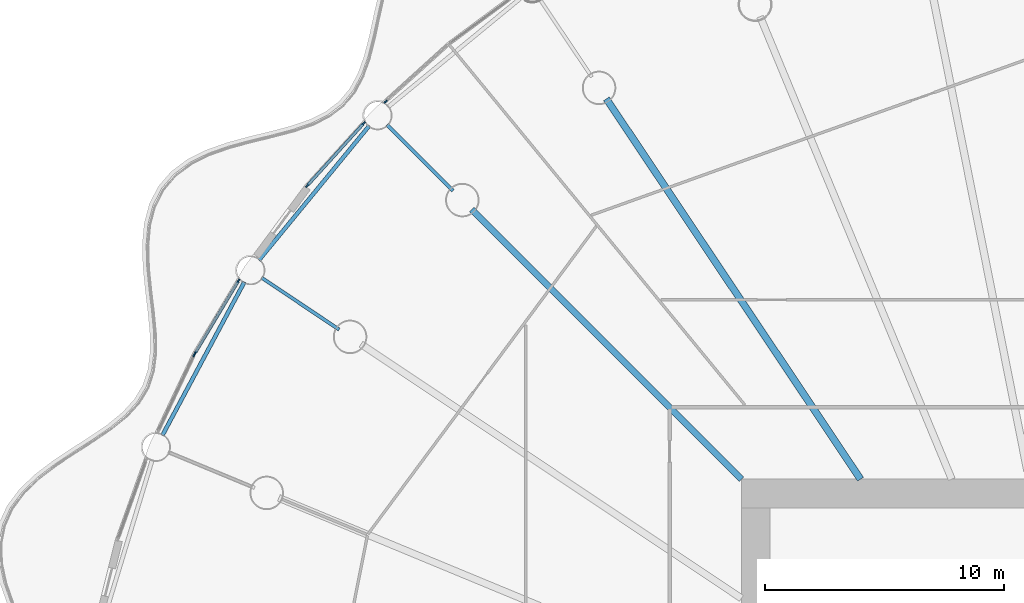
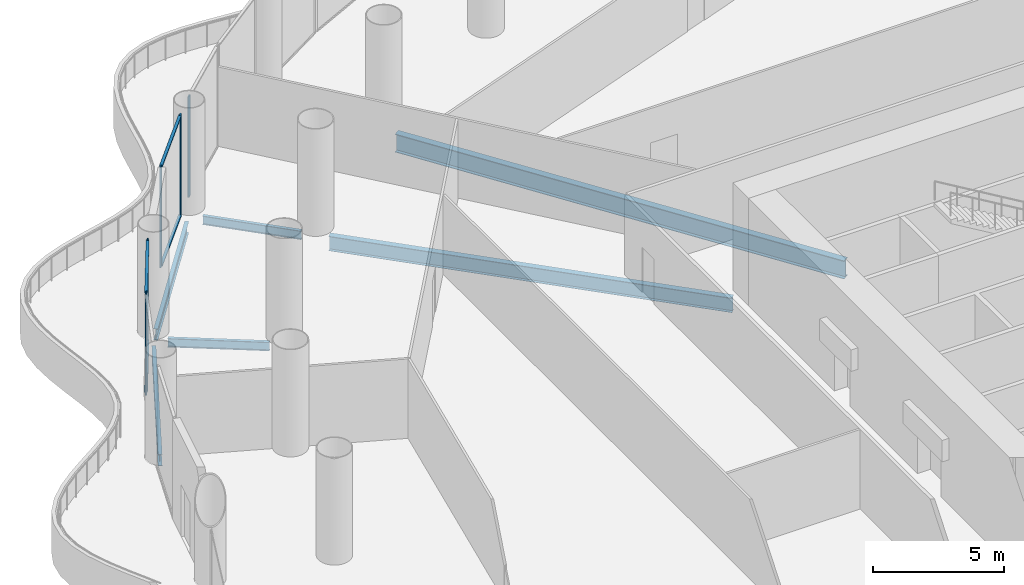
# One storey, part 15 of 36: 10 members, 6 beams, 4 elements without a shape of their own.
"""IFC4 building model written with IfcOpenShell, lengths in metres."""

from ifc_helpers import new_model, si_unit, direction, frame, origin, origin_2d, place, context, subcontext, project, spatial, rectangle, i_section, extrude, material, material_profile, profile_set, type_object, element, aggregate, save


model = new_model("IFC4")

# Units and contexts
model_context = context("Model", 3, precision=1e-05, world=origin(), true_north=direction((0.0, 1.0)))
body_context = subcontext(model_context, "Body", "Model", "MODEL_VIEW")
ifc_project = project(units=[si_unit("LENGTHUNIT", "METRE"), si_unit("AREAUNIT", "SQUARE_METRE"), si_unit("VOLUMEUNIT", "CUBIC_METRE"), si_unit("PLANEANGLEUNIT", "RADIAN"), si_unit("MASSUNIT", "GRAM", prefix="KILO")], contexts=[model_context])

# Site, building, storey
site_placement = place(None, origin())
site = spatial("IfcSite", under=ifc_project, at=site_placement, CompositionType="ELEMENT")
building_placement = place(site_placement, origin())
building = spatial("IfcBuilding", under=site, at=building_placement, Name="Corvane Civic Tower", CompositionType="ELEMENT")
storey_placement = place(building_placement, frame((0.0, 0.0, 17.0)))
storey = spatial("IfcBuildingStorey", under=building, at=storey_placement, Name="L03", CompositionType="ELEMENT", Elevation=17.0)

# Beams
ifc_material_1 = material(Name="Steel ASTM A992 Gr 50", Category="steel")
ifc_material_profile_1 = material_profile(ifc_material_1, i_section(OverallWidth=0.165771484375, OverallDepth=0.5283203125, WebThickness=0.009765625, FlangeThickness=0.013671875, at=origin_2d()), Name="W21X50")
ifc_profile_set_1 = profile_set([ifc_material_profile_1], Name="Steel ASTM A992 Gr 50")
beam_type_1 = type_object("IfcBeamType", Name="EDGE BEAM W21X50", PredefinedType="BEAM", material=ifc_profile_set_1)
for number, where, z_axis, x_axis, name in (
    (1, (-39.1904296875, 16.82568359375, -0.564208984375), (0.471412394598, 0.881912894916, 0.0), (-0.881912894916, 0.471412394598, 0.0), "BM-L03-E27"),
    (2, (-35.15478515625, 24.14794921875, -0.564208984375), (0.634396365205, 0.773007924807, 0.0), (-0.773007924807, 0.634396365205, 0.0), "BM-L03-E28"),
):
    element("IfcBeam", number, at=place(storey_placement, frame(where, z_axis=z_axis, x_axis=x_axis)), inside=storey, type_object=beam_type_1, Name=name, PredefinedType="BEAM", context=body_context, shape_type="SweptSolid", body=[
        extrude(i_section(OverallWidth=0.165771484375, OverallDepth=0.5283203125, WebThickness=0.009765625, FlangeThickness=0.013671875, at=origin_2d()), origin(), (0.0, 0.0, 1.0), 7.270751953125),
    ])
ifc_material_2 = material(Name="Steel ASTM A992 Gr 50", Category="steel")
ifc_material_profile_2 = material_profile(ifc_material_2, i_section(OverallWidth=0.140380859375, OverallDepth=0.40380859375, WebThickness=0.007080078125, FlangeThickness=0.01123046875, at=origin_2d()), Name="W16X31")
ifc_profile_set_2 = profile_set([ifc_material_profile_2], Name="Steel ASTM A992 Gr 50")
beam_type_2 = type_object("IfcBeamType", Name="FLOOR GIRDER W16X31", PredefinedType="BEAM", material=ifc_profile_set_2)
for number, where, z_axis, x_axis, name in (
    (3, (-31.8037109375, 21.25048828125, -0.501953125), (-0.831462344301, 0.555581110199, 0.0), (-0.555581110199, -0.831462344301, 0.0), "BM-L03-G28b"),
    (4, (-27.046875, 27.046875, -0.501953125), (-0.707106781187, 0.707106781187, 0.0), (-0.707106781187, -0.707106781187, 0.0), "BM-L03-G29b"),
):
    element("IfcBeam", number, at=place(storey_placement, frame(where, z_axis=z_axis, x_axis=x_axis)), inside=storey, type_object=beam_type_2, Name=name, PredefinedType="BEAM", context=body_context, shape_type="SweptSolid", body=[
        extrude(i_section(OverallWidth=0.140380859375, OverallDepth=0.40380859375, WebThickness=0.007080078125, FlangeThickness=0.01123046875, at=origin_2d()), origin(), (0.0, 0.0, 1.0), 3.89990234375),
    ])
ifc_material_3 = material(Name="Steel ASTM A992 Gr 50", Category="steel")
ifc_material_profile_3 = material_profile(ifc_material_3, i_section(OverallWidth=0.25390625, OverallDepth=0.67822265625, WebThickness=0.01171875, FlangeThickness=0.016357421875, at=origin_2d()), Name="W27X84")
ifc_profile_set_3 = profile_set([ifc_material_profile_3], Name="Steel ASTM A992 Gr 50")
beam_type_3 = type_object("IfcBeamType", Name="FLOOR GIRDER W27X84", PredefinedType="BEAM", material=ifc_profile_set_3)
beam_1_placement = place(storey_placement, frame((-15.0, 15.0, -0.63916015625), z_axis=(-0.707106781187, 0.707106781187, 0.0), x_axis=(-0.707106781187, -0.707106781187, 0.0)))
element("IfcBeam", 5, at=beam_1_placement, inside=storey, type_object=beam_type_3, Name="BM-L03-G29", PredefinedType="BEAM", context=body_context, shape_type="SweptSolid", body=[
    extrude(i_section(OverallWidth=0.25390625, OverallDepth=0.67822265625, WebThickness=0.01171875, FlangeThickness=0.016357421875, at=origin_2d()), origin(), (0.0, 0.0, 1.0), 15.936767578125),
])
ifc_material_4 = material(Name="Steel ASTM A992 Gr 50", Category="steel")
ifc_material_profile_4 = material_profile(ifc_material_4, i_section(OverallWidth=0.2919921875, OverallDepth=0.845703125, WebThickness=0.015380859375, FlangeThickness=0.0244140625, at=origin_2d()), Name="W33X141")
ifc_profile_set_4 = profile_set([ifc_material_profile_4], Name="Steel ASTM A992 Gr 50")
beam_type_4 = type_object("IfcBeamType", Name="FLOOR GIRDER W33X141", PredefinedType="BEAM", material=ifc_profile_set_4)
beam_2_placement = place(storey_placement, frame((-10.022705078125, 15.0, -0.722900390625), z_axis=(-0.555566681385, 0.831471985418, 0.0), x_axis=(-0.831471985418, -0.555566681385, 0.0)))
element("IfcBeam", 6, at=beam_2_placement, inside=storey, type_object=beam_type_4, Name="BM-L03-G30", PredefinedType="BEAM", context=body_context, shape_type="SweptSolid", body=[
    extrude(i_section(OverallWidth=0.2919921875, OverallDepth=0.845703125, WebThickness=0.015380859375, FlangeThickness=0.0244140625, at=origin_2d()), origin(), (0.0, 0.0, 1.0), 19.109619140625),
])

# Curtain wall, member
ifc_material_5 = material(Name="Aluminium and glass", Category="aluminium")
curtain_wall_type = type_object("IfcCurtainWallType", Name="PODIUM-CW-P-RUN", PredefinedType="NOTDEFINED", material=ifc_material_5)
curtain_wall_1_placement = place(storey_placement, origin())
curtain_wall_1 = element("IfcCurtainWall", 7, at=curtain_wall_1_placement, inside=storey, type_object=curtain_wall_type, Name="PODI run L03-drum-27A", PredefinedType="NOTDEFINED")
ifc_material_6 = material(Name="Anodised aluminium bronze", Category="aluminium")
ifc_material_profile_5 = material_profile(ifc_material_6, rectangle(XDim=0.06005859375, YDim=0.159912109375, at=origin_2d()), Name="AL 60x160")
ifc_profile_set_5 = profile_set([ifc_material_profile_5], Name="Anodised aluminium bronze")
member_type_1 = type_object("IfcMemberType", Name="PODIUM-CWP-MULLION-60x160", PredefinedType="MULLION", material=ifc_profile_set_5)
member_1_placement = place(storey_placement, frame((-37.862548828125, 20.186279296875, 0.0), z_axis=(0.0, 0.0, 1.0), x_axis=(-0.903990222454, 0.42755312852, 0.0)))
member_1 = element("IfcMember", 8, at=member_1_placement, type_object=member_type_1, Name="CW-P mullion 2", PredefinedType="MULLION", context=body_context, shape_type="SweptSolid", body=[
    extrude(rectangle(XDim=0.06005859375, YDim=0.159912109375, at=origin_2d()), origin(), (0.0, 0.0, 1.0), 4.699951171875),
])
aggregate(curtain_wall_1, [member_1])

# Curtain wall, members
curtain_wall_2_placement = place(storey_placement, origin())
curtain_wall_2 = element("IfcCurtainWall", 9, at=curtain_wall_2_placement, inside=storey, type_object=curtain_wall_type, Name="PODI run L03-drum-27B", PredefinedType="NOTDEFINED")
member_2_placement = place(storey_placement, frame((-37.819580078125, 20.2666015625, 0.0), z_axis=(0.0, 0.0, 1.0), x_axis=(-0.857719609779, 0.514117759857, 0.0)))
member_2 = element("IfcMember", 10, at=member_2_placement, type_object=member_type_1, Name="CW-P mullion 1", PredefinedType="MULLION", context=body_context, shape_type="SweptSolid", body=[
    extrude(rectangle(XDim=0.06005859375, YDim=0.159912109375, at=origin_2d()), origin(), (0.0, 0.0, 1.0), 4.699951171875),
])
member_3_placement = place(storey_placement, frame((-36.010009765625, 23.28564453125, 0.0), z_axis=(0.0, 0.0, 1.0), x_axis=(-0.857719609779, 0.514117759857, 0.0)))
member_3 = element("IfcMember", 11, at=member_3_placement, type_object=member_type_1, Name="CW-P mullion 2", PredefinedType="MULLION", context=body_context, shape_type="SweptSolid", body=[
    extrude(rectangle(XDim=0.06005859375, YDim=0.159912109375, at=origin_2d()), origin(), (0.0, 0.0, 1.0), 4.699951171875),
])

curtain_wall_3_placement = place(storey_placement, origin())
curtain_wall_3 = element("IfcCurtainWall", 12, at=curtain_wall_3_placement, inside=storey, type_object=curtain_wall_type, Name="PODI run L03-drum-28B", PredefinedType="NOTDEFINED")
member_4_placement = place(storey_placement, frame((-33.13916015625, 27.25537109375, 0.0), z_axis=(0.0, 0.0, 1.0), x_axis=(-0.740935261089, 0.671576457952, 0.0)))
member_4 = element("IfcMember", 13, at=member_4_placement, type_object=member_type_1, Name="CW-P mullion 1", PredefinedType="MULLION", context=body_context, shape_type="SweptSolid", body=[
    extrude(rectangle(XDim=0.06005859375, YDim=0.159912109375, at=origin_2d()), origin(), (0.0, 0.0, 1.0), 4.699951171875),
])
member_5_placement = place(storey_placement, frame((-30.775390625, 29.863525390625, 0.0), z_axis=(0.0, 0.0, 1.0), x_axis=(-0.740935261089, 0.671576457952, 0.0)))
member_5 = element("IfcMember", 14, at=member_5_placement, type_object=member_type_1, Name="CW-P mullion 2", PredefinedType="MULLION", context=body_context, shape_type="SweptSolid", body=[
    extrude(rectangle(XDim=0.06005859375, YDim=0.159912109375, at=origin_2d()), origin(), (0.0, 0.0, 1.0), 4.699951171875),
])

# Curtain wall, member
curtain_wall_4_placement = place(storey_placement, origin())
curtain_wall_4 = element("IfcCurtainWall", 15, at=curtain_wall_4_placement, inside=storey, type_object=curtain_wall_type, Name="PODI run L03-drum-29A", PredefinedType="NOTDEFINED")
member_6_placement = place(storey_placement, frame((-29.863525390625, 30.775390625, 0.0), z_axis=(0.0, 0.0, 1.0), x_axis=(-0.671576457952, 0.740935261089, 0.0)))
member_6 = element("IfcMember", 16, at=member_6_placement, type_object=member_type_1, Name="CW-P mullion 1", PredefinedType="MULLION", context=body_context, shape_type="SweptSolid", body=[
    extrude(rectangle(XDim=0.06005859375, YDim=0.159912109375, at=origin_2d()), origin(), (0.0, 0.0, 1.0), 4.699951171875),
])
aggregate(curtain_wall_4, [member_6])

# Member
ifc_material_7 = material(Name="Anodised aluminium bronze", Category="aluminium")
ifc_material_profile_6 = material_profile(ifc_material_7, rectangle(XDim=0.1201171875, YDim=0.06005859375, at=origin_2d()), Name="AL 120x60")
ifc_profile_set_6 = profile_set([ifc_material_profile_6], Name="Anodised aluminium bronze")
member_type_2 = type_object("IfcMemberType", Name="PODIUM-CWP-TRANSOM-60x120", PredefinedType="USERDEFINED", material=ifc_profile_set_6)
member_7_placement = place(storey_placement, frame((-37.80419921875, 20.29248046875, 0.030029296875), z_axis=(0.514111713099, 0.857723234181, 0.0), x_axis=(-0.857723234181, 0.514111713099, 0.0)))
member_7 = element("IfcMember", 17, at=member_7_placement, type_object=member_type_2, Name="CW-P transom 1.1", ObjectType="TRANSOM", PredefinedType="USERDEFINED", context=body_context, shape_type="SweptSolid", body=[
    extrude(rectangle(XDim=0.1201171875, YDim=0.06005859375, at=origin_2d()), origin(), (0.0, 0.0, 1.0), 3.45947265625),
])

member_8_placement = place(storey_placement, frame((-37.80419921875, 20.29248046875, 4.669921875), z_axis=(0.514111713099, 0.857723234181, 0.0), x_axis=(-0.857723234181, 0.514111713099, 0.0)))
member_8 = element("IfcMember", 18, at=member_8_placement, type_object=member_type_2, Name="CW-P transom 1.2", ObjectType="TRANSOM", PredefinedType="USERDEFINED", context=body_context, shape_type="SweptSolid", body=[
    extrude(rectangle(XDim=0.1201171875, YDim=0.06005859375, at=origin_2d()), origin(), (0.0, 0.0, 1.0), 3.45947265625),
])

aggregate(curtain_wall_2, [member_2, member_3, member_7, member_8])

member_9_placement = place(storey_placement, frame((-33.119140625, 27.277587890625, 0.030029296875), z_axis=(0.671576323599, 0.740935382865, 0.0), x_axis=(-0.740935382865, 0.671576323599, 0.0)))
member_9 = element("IfcMember", 19, at=member_9_placement, type_object=member_type_2, Name="CW-P transom 1.1", ObjectType="TRANSOM", PredefinedType="USERDEFINED", context=body_context, shape_type="SweptSolid", body=[
    extrude(rectangle(XDim=0.1201171875, YDim=0.06005859375, at=origin_2d()), origin(), (0.0, 0.0, 1.0), 3.460205078125),
])

member_10_placement = place(storey_placement, frame((-33.119140625, 27.277587890625, 4.669921875), z_axis=(0.671576323599, 0.740935382865, 0.0), x_axis=(-0.740935382865, 0.671576323599, 0.0)))
member_10 = element("IfcMember", 20, at=member_10_placement, type_object=member_type_2, Name="CW-P transom 1.2", ObjectType="TRANSOM", PredefinedType="USERDEFINED", context=body_context, shape_type="SweptSolid", body=[
    extrude(rectangle(XDim=0.1201171875, YDim=0.06005859375, at=origin_2d()), origin(), (0.0, 0.0, 1.0), 3.460205078125),
])

aggregate(curtain_wall_3, [member_4, member_5, member_9, member_10])

save(model, "model.ifc")
